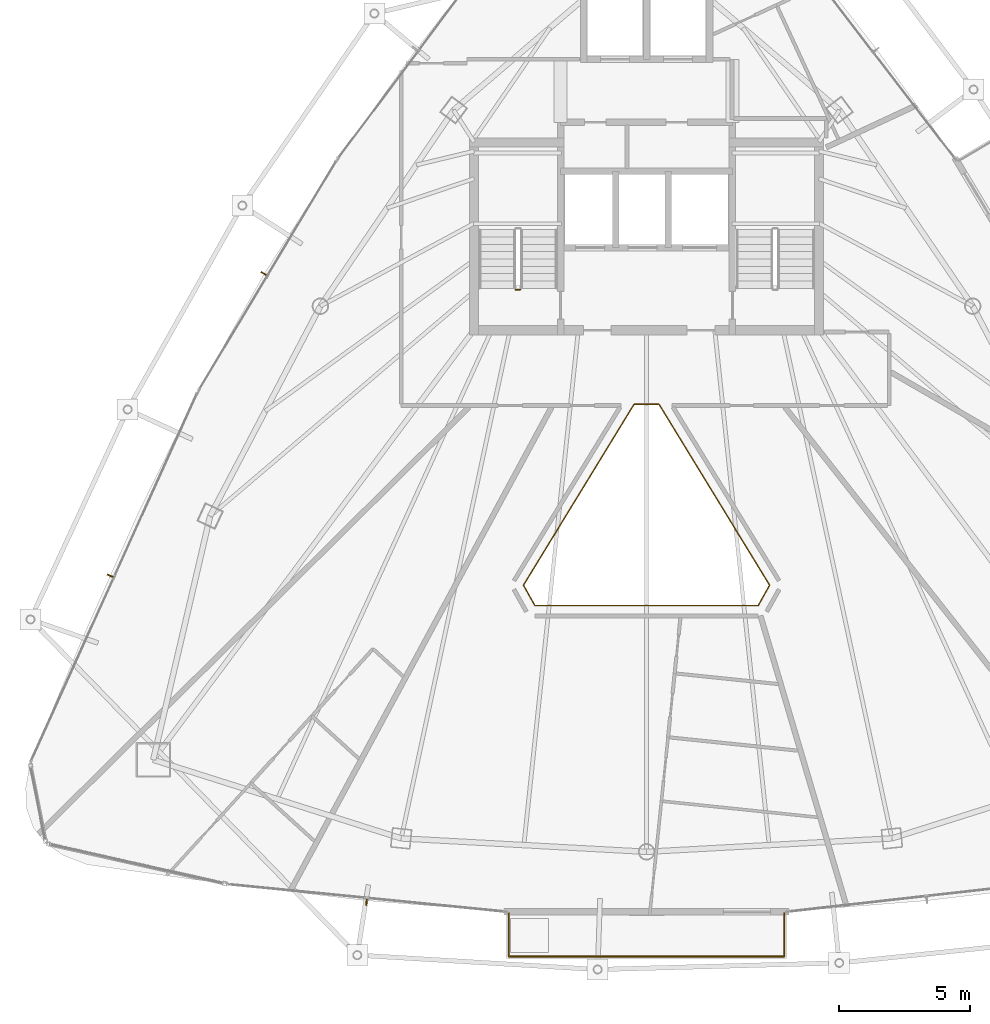
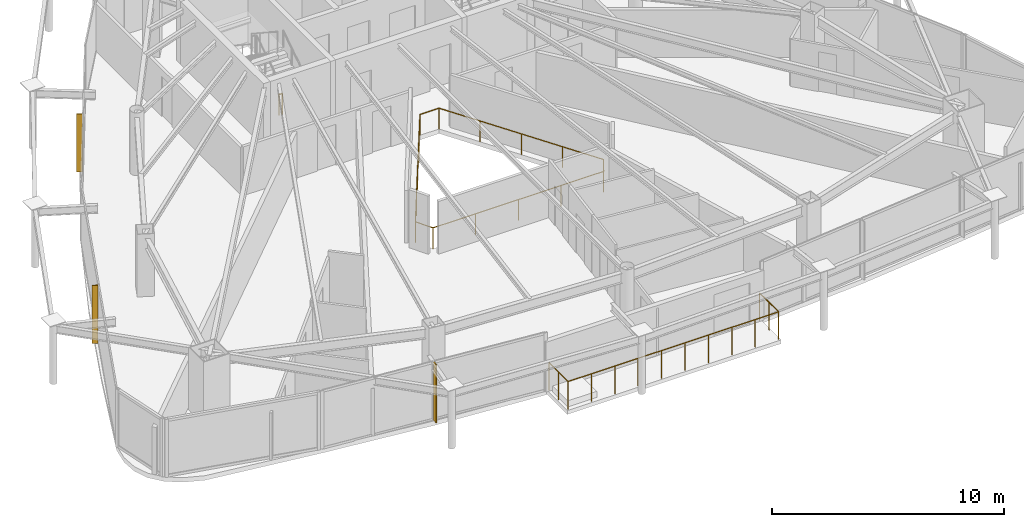
# One storey, part 32 of 34: 3 railings, 3 shading devices.
"""IFC4 building model written with IfcOpenShell, lengths in metres."""

from ifc_helpers import new_model, si_unit, direction, frame, origin, origin_2d, place, context, subcontext, project, spatial, rectangle, circle, extrude, material, layer, layer_set, type_object, element, save


model = new_model("IFC4")

# Units and contexts
model_context = context("Model", 3, precision=1e-05, world=origin(), true_north=direction((0.0, 1.0)))
body_context = subcontext(model_context, "Body", "Model", "MODEL_VIEW")
ifc_project = project(units=[si_unit("LENGTHUNIT", "METRE"), si_unit("AREAUNIT", "SQUARE_METRE"), si_unit("VOLUMEUNIT", "CUBIC_METRE"), si_unit("PLANEANGLEUNIT", "RADIAN"), si_unit("MASSUNIT", "GRAM", prefix="KILO")], contexts=[model_context])

# Site, building, storey
site_placement = place(None, origin())
site = spatial("IfcSite", under=ifc_project, at=site_placement, CompositionType="ELEMENT")
building_placement = place(site_placement, origin())
building = spatial("IfcBuilding", under=site, at=building_placement, Name="Orvanel Arch Residences", CompositionType="ELEMENT")
storey_placement = place(building_placement, frame((0.0, 0.0, 203.0)))
storey = spatial("IfcBuildingStorey", under=building, at=storey_placement, Name="L57", CompositionType="ELEMENT", Elevation=203.0)

# Shading devices
ifc_material_1 = material(Name="Bronze-anodised aluminium AA6063-T6", Category="aluminium")
ifc_layer = layer(ifc_material_1, 0.050048828125)
ifc_layer_set = layer_set([ifc_layer], Name="Bronze-anodised aluminium AA6063-T6")
shading_device_type = type_object("IfcShadingDeviceType", Name="FIN-BRZ-260", PredefinedType="USERDEFINED", material=ifc_layer_set)
for number, where, z_axis, x_axis, name in (
    (1, (18.4169921875, 28.8779296875, 0.0), (0.0, 0.0, 1.0), (-0.857167300702, 0.51503807491, 0.0), "L57 Anodised Bronze Mullion FIN 01"),
    (2, (12.55908203125, 17.363037109375, 0.0), (0.0, 0.0, 1.0), (-0.911403276635, 0.411514358605, 0.0), "L57 Anodised Bronze Mullion FIN 01"),
    (3, (22.326904296875, 4.927978515625, 0.0), (0.0, 0.0, 1.0), (-0.097582899759, -0.995227399982, 0.0), "L57 Anodised Bronze Mullion FIN 01"),
):
    element("IfcShadingDevice", number, at=place(storey_placement, frame(where, z_axis=z_axis, x_axis=x_axis)), inside=storey, type_object=shading_device_type, Name=name, ObjectType="FIN", PredefinedType="USERDEFINED", context=body_context, shape_type="SweptSolid", body=[
        extrude(rectangle(XDim=0.260009765625, YDim=0.050048828125, at=origin_2d()), origin(), (0.0, 0.0, 1.0), 3.06005859375),
    ])

# Railings
railing_type_1 = type_object("IfcRailingType", Name="RL-ATR-1120", PredefinedType="BALUSTRADE", material=ifc_material_1)
railing_1_placement = place(storey_placement, frame((33.47509765625, 23.89794921875, 0.0)))
element("IfcRailing", 4, at=railing_1_placement, inside=storey, type_object=railing_type_1, Name="L57 Atrium Void Protective Balustrade", PredefinedType="BALUSTRADE", context=body_context, shape_type="SweptSolid", body=[
    extrude(circle(Radius=0.02392578125, at=origin_2d()), frame((-0.00146484375, 0.0, 1.09619140625), z_axis=(-1.0, 0.0, 0.0), x_axis=(0.0, -1.0, 0.0)), (0.0, 0.0, 1.0), 0.947265625),
    extrude(circle(Radius=0.02392578125, at=origin_2d()), frame((-0.950927734375, -0.001220703125, 1.09619140625), z_axis=(-0.521558814425, -0.853215332197, 0.0), x_axis=(0.853215332197, -0.521558814425, 0.0)), (0.0, 0.0, 1.0), 8.074462890625),
    extrude(circle(Radius=0.02392578125, at=origin_2d()), frame((-5.162353515625, -6.89306640625, 1.09619140625), z_axis=(0.488036178219, -0.872823400665, 0.0), x_axis=(0.872823400665, 0.488036178219, 0.0)), (0.0, 0.0, 1.0), 0.888427734375),
    extrude(circle(Radius=0.02392578125, at=origin_2d()), frame((-4.7265625, -7.669921875, 1.09619140625), z_axis=(1.0, 0.0, 0.0), x_axis=(0.0, 1.0, 0.0)), (0.0, 0.0, 1.0), 8.5029296875),
    extrude(circle(Radius=0.02392578125, at=origin_2d()), frame((3.778564453125, -7.668701171875, 1.09619140625), z_axis=(0.488036178219, 0.872823400665, 0.0), x_axis=(-0.872823400665, 0.488036178219, 0.0)), (0.0, 0.0, 1.0), 0.888427734375),
    extrude(circle(Radius=0.02392578125, at=origin_2d()), frame((4.212158203125, -6.890625, 1.09619140625), z_axis=(-0.521558814425, 0.853215332197, 0.0), x_axis=(-0.853215332197, -0.521558814425, 0.0)), (0.0, 0.0, 1.0), 8.074462890625),
    extrude(circle(Radius=0.02099609375, at=origin_2d()), origin(), (0.0, 0.0, 1.0), 1.070068359375),
    extrude(circle(Radius=0.02099609375, at=origin_2d()), frame((-0.9501953125, 0.0, 0.0)), (0.0, 0.0, 1.0), 1.070068359375),
    extrude(circle(Radius=0.02099609375, at=origin_2d()), frame((-2.00341796875, -1.722900390625, 0.0)), (0.0, 0.0, 1.0), 1.070068359375),
    extrude(circle(Radius=0.02099609375, at=origin_2d()), frame((-3.056640625, -3.44580078125, 0.0)), (0.0, 0.0, 1.0), 1.070068359375),
    extrude(circle(Radius=0.02099609375, at=origin_2d()), frame((-4.10986328125, -5.1689453125, 0.0)), (0.0, 0.0, 1.0), 1.070068359375),
    extrude(circle(Radius=0.02099609375, at=origin_2d()), frame((-5.1630859375, -6.891845703125, 0.0)), (0.0, 0.0, 1.0), 1.070068359375),
    extrude(circle(Radius=0.02099609375, at=origin_2d()), frame((-4.72802734375, -7.669921875, 0.0)), (0.0, 0.0, 1.0), 1.070068359375),
    extrude(circle(Radius=0.02099609375, at=origin_2d()), frame((-2.6015625, -7.669921875, 0.0)), (0.0, 0.0, 1.0), 1.070068359375),
    extrude(circle(Radius=0.02099609375, at=origin_2d()), frame((-0.47509765625, -7.669921875, 0.0)), (0.0, 0.0, 1.0), 1.070068359375),
    extrude(circle(Radius=0.02099609375, at=origin_2d()), frame((1.6513671875, -7.669921875, 0.0)), (0.0, 0.0, 1.0), 1.070068359375),
    extrude(circle(Radius=0.02099609375, at=origin_2d()), frame((3.77783203125, -7.669921875, 0.0)), (0.0, 0.0, 1.0), 1.070068359375),
    extrude(circle(Radius=0.02099609375, at=origin_2d()), frame((4.212890625, -6.891845703125, 0.0)), (0.0, 0.0, 1.0), 1.070068359375),
    extrude(circle(Radius=0.02099609375, at=origin_2d()), frame((3.15966796875, -5.1689453125, 0.0)), (0.0, 0.0, 1.0), 1.070068359375),
    extrude(circle(Radius=0.02099609375, at=origin_2d()), frame((2.1064453125, -3.44580078125, 0.0)), (0.0, 0.0, 1.0), 1.070068359375),
    extrude(circle(Radius=0.02099609375, at=origin_2d()), frame((1.05322265625, -1.722900390625, 0.0)), (0.0, 0.0, 1.0), 1.070068359375),
])
railing_type_2 = type_object("IfcRailingType", Name="RL-BAL-1480", PredefinedType="BALUSTRADE", material=ifc_material_1)
railing_2_placement = place(storey_placement, frame((27.7509765625, 4.4951171875, 0.0)))
element("IfcRailing", 5, at=railing_2_placement, inside=storey, type_object=railing_type_2, Name="L57 Balcony Perimeter Guardrail Face 2", PredefinedType="BALUSTRADE", context=body_context, shape_type="SweptSolid", body=[
    extrude(circle(Radius=0.02392578125, at=origin_2d()), frame((0.0, -0.00146484375, 1.4560546875), z_axis=(0.0, -1.0, 0.0), x_axis=(1.0, 0.0, 0.0)), (0.0, 0.0, 1.0), 1.63720703125),
    extrude(circle(Radius=0.02392578125, at=origin_2d()), frame((0.00146484375, -1.64013671875, 1.4560546875), z_axis=(1.0, 0.0, 0.0), x_axis=(0.0, 1.0, 0.0)), (0.0, 0.0, 1.0), 10.4951171875),
    extrude(circle(Radius=0.02392578125, at=origin_2d()), frame((10.498046875, -1.638671875, 1.4560546875), z_axis=(0.0, 1.0, 0.0), x_axis=(-1.0, 0.0, 0.0)), (0.0, 0.0, 1.0), 1.63720703125),
    extrude(circle(Radius=0.02099609375, at=origin_2d()), origin(), (0.0, 0.0, 1.0), 1.429931640625),
    extrude(circle(Radius=0.02099609375, at=origin_2d()), frame((0.0, -0.820068359375, 0.0)), (0.0, 0.0, 1.0), 1.429931640625),
    extrude(circle(Radius=0.02099609375, at=origin_2d()), frame((0.0, -1.64013671875, 0.0)), (0.0, 0.0, 1.0), 1.429931640625),
    extrude(circle(Radius=0.02099609375, at=origin_2d()), frame((1.16650390625, -1.64013671875, 0.0)), (0.0, 0.0, 1.0), 1.429931640625),
    extrude(circle(Radius=0.02099609375, at=origin_2d()), frame((2.3330078125, -1.64013671875, 0.0)), (0.0, 0.0, 1.0), 1.429931640625),
    extrude(circle(Radius=0.02099609375, at=origin_2d()), frame((3.499267578125, -1.64013671875, 0.0)), (0.0, 0.0, 1.0), 1.429931640625),
    extrude(circle(Radius=0.02099609375, at=origin_2d()), frame((4.665771484375, -1.64013671875, 0.0)), (0.0, 0.0, 1.0), 1.429931640625),
    extrude(circle(Radius=0.02099609375, at=origin_2d()), frame((5.832275390625, -1.64013671875, 0.0)), (0.0, 0.0, 1.0), 1.429931640625),
    extrude(circle(Radius=0.02099609375, at=origin_2d()), frame((6.998779296875, -1.64013671875, 0.0)), (0.0, 0.0, 1.0), 1.429931640625),
    extrude(circle(Radius=0.02099609375, at=origin_2d()), frame((8.1650390625, -1.64013671875, 0.0)), (0.0, 0.0, 1.0), 1.429931640625),
    extrude(circle(Radius=0.02099609375, at=origin_2d()), frame((9.33154296875, -1.64013671875, 0.0)), (0.0, 0.0, 1.0), 1.429931640625),
    extrude(circle(Radius=0.02099609375, at=origin_2d()), frame((10.498046875, -1.64013671875, 0.0)), (0.0, 0.0, 1.0), 1.429931640625),
    extrude(circle(Radius=0.02099609375, at=origin_2d()), frame((10.498046875, -0.820068359375, 0.0)), (0.0, 0.0, 1.0), 1.429931640625),
    extrude(circle(Radius=0.02099609375, at=origin_2d()), frame((10.498046875, 0.0, 0.0)), (0.0, 0.0, 1.0), 1.429931640625),
])
ifc_material_2 = material(Name="Structural steel AS/NZS 1163 C350L0 (Grade 350)", Category="steel")
railing_type_3 = type_object("IfcRailingType", Name="RL-STAIR-GUARD", PredefinedType="GUARDRAIL", material=ifc_material_2)
railing_3_placement = place(storey_placement, frame((28.179931640625, 28.27001953125, 0.0)))
element("IfcRailing", 6, at=railing_3_placement, inside=storey, type_object=railing_type_3, Name="L57 ST-1 stair guard 4", PredefinedType="GUARDRAIL", context=body_context, shape_type="SweptSolid", body=[
    extrude(circle(Radius=0.02392578125, at=origin_2d()), frame((-0.00146484375, 0.0, 1.076171875), z_axis=(-1.0, 0.0, 0.0), x_axis=(0.0, -1.0, 0.0)), (0.0, 0.0, 1.0), 0.156982421875),
    extrude(circle(Radius=0.02099609375, at=origin_2d()), origin(), (0.0, 0.0, 1.0), 1.050048828125),
    extrude(circle(Radius=0.02099609375, at=origin_2d()), frame((-0.159912109375, 0.0, 0.0)), (0.0, 0.0, 1.0), 1.050048828125),
])

save(model, "model.ifc")
